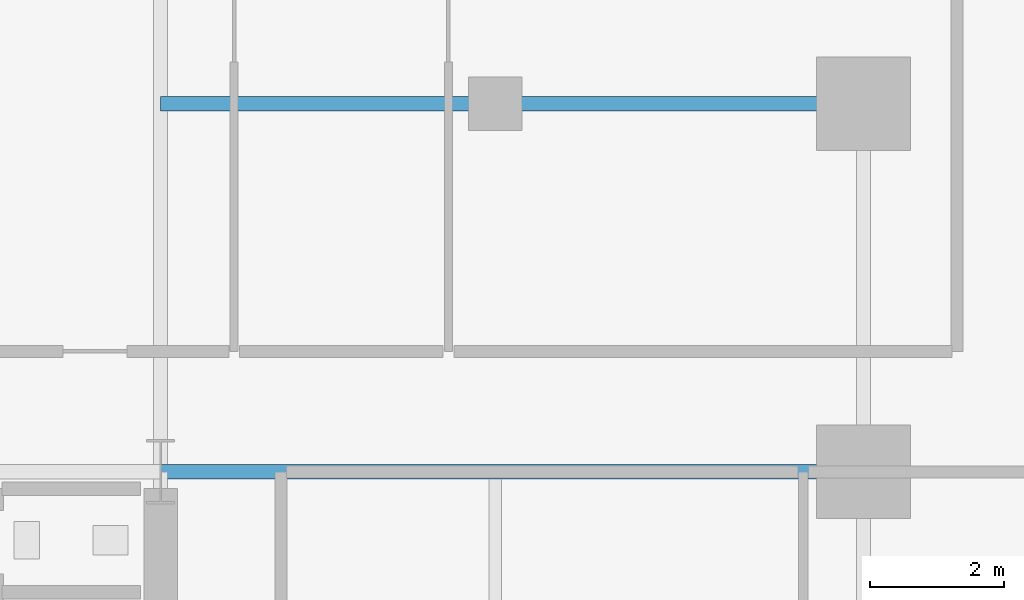
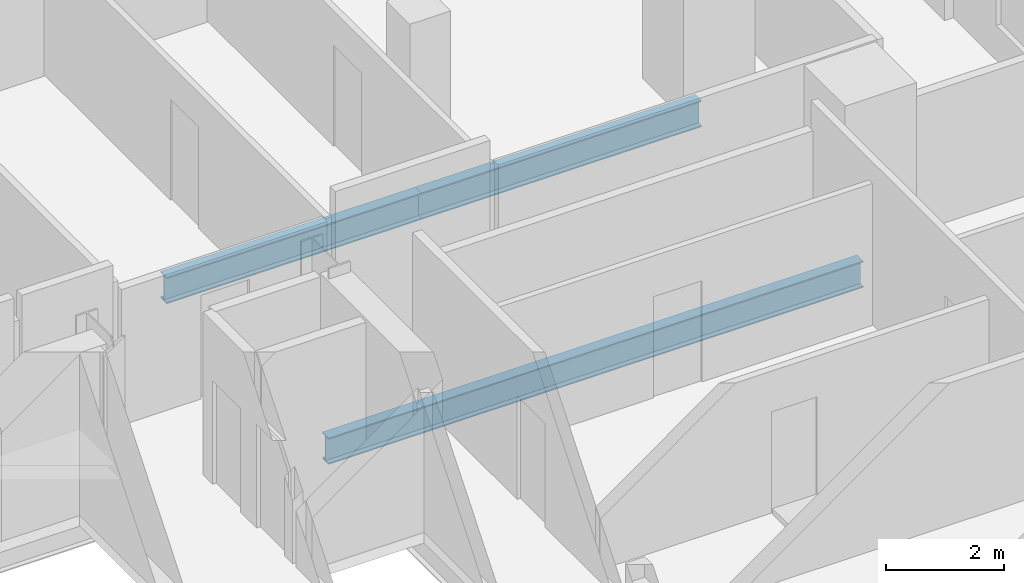
# One storey, part 14 of 24: 3 beams.
"""IFC4 building model written with IfcOpenShell, lengths in metres."""

from ifc_helpers import new_model, si_unit, direction, frame, origin, origin_2d, place, context, subcontext, project, spatial, i_section, extrude, material, material_profile, profile_set, type_object, element, save


model = new_model("IFC4")

# Units and contexts
model_context = context("Model", 3, precision=1e-05, world=origin(), true_north=direction((0.0, 1.0)))
body_context = subcontext(model_context, "Body", "Model", "MODEL_VIEW")
ifc_project = project(units=[si_unit("LENGTHUNIT", "METRE"), si_unit("AREAUNIT", "SQUARE_METRE"), si_unit("VOLUMEUNIT", "CUBIC_METRE"), si_unit("PLANEANGLEUNIT", "RADIAN"), si_unit("MASSUNIT", "GRAM", prefix="KILO")], contexts=[model_context])

# Site, building, storey
site_placement = place(None, origin())
site = spatial("IfcSite", under=ifc_project, at=site_placement, CompositionType="ELEMENT")
building_placement = place(site_placement, origin())
building = spatial("IfcBuilding", under=site, at=building_placement, Name="Barlavira Tower and Art Museum", CompositionType="ELEMENT")
storey_placement = place(building_placement, frame((0.0, 0.0, 32.39990234375)))
storey = spatial("IfcBuildingStorey", under=building, at=storey_placement, Name="L06", CompositionType="ELEMENT", Elevation=32.39990234375)

# Beams
ifc_material = material(Name="Steel S355", Category="steel")
ifc_material_profile = material_profile(ifc_material, i_section(OverallWidth=0.214111328125, OverallDepth=0.549072265625, WebThickness=0.0146484375, FlangeThickness=0.023681640625, at=origin_2d()), Name="W530x138.0")
ifc_profile_set = profile_set([ifc_material_profile], Name="Steel S355")
beam_type = type_object("IfcBeamType", Name="Zone 1 Primary Floor Girder W530x138 Steel S355", PredefinedType="BEAM", material=ifc_profile_set)
beam_1_placement = place(storey_placement, frame((6.5, 7.5, -0.494384765625), z_axis=(1.0, 0.0, 0.0), x_axis=(0.0, 1.0, 0.0)))
element("IfcBeam", 1, at=beam_1_placement, inside=storey, type_object=beam_type, Name="L06 Girder R-E2", PredefinedType="BEAM", context=body_context, shape_type="SweptSolid", body=[
    extrude(i_section(OverallWidth=0.214111328125, OverallDepth=0.549072265625, WebThickness=0.0146484375, FlangeThickness=0.023681640625, at=origin_2d()), origin(), (0.0, 0.0, 1.0), 10.5),
])
beam_2_placement = place(storey_placement, frame((6.5, 13.0, -0.494384765625), z_axis=(1.0, 0.0, 0.0), x_axis=(0.0, 1.0, 0.0)))
element("IfcBeam", 2, at=beam_2_placement, inside=storey, type_object=beam_type, Name="L06 Girder I-N3", PredefinedType="BEAM", context=body_context, shape_type="SweptSolid", body=[
    extrude(i_section(OverallWidth=0.214111328125, OverallDepth=0.549072265625, WebThickness=0.0146484375, FlangeThickness=0.023681640625, at=origin_2d()), origin(), (0.0, 0.0, 1.0), 5.0),
])
beam_3_placement = place(storey_placement, frame((11.5, 13.0, -0.494384765625), z_axis=(1.0, 0.0, 0.0), x_axis=(0.0, 1.0, 0.0)))
element("IfcBeam", 3, at=beam_3_placement, inside=storey, type_object=beam_type, Name="L06 Girder I-N4", PredefinedType="BEAM", context=body_context, shape_type="SweptSolid", body=[
    extrude(i_section(OverallWidth=0.214111328125, OverallDepth=0.549072265625, WebThickness=0.0146484375, FlangeThickness=0.023681640625, at=origin_2d()), origin(), (0.0, 0.0, 1.0), 5.5),
])

save(model, "model.ifc")
